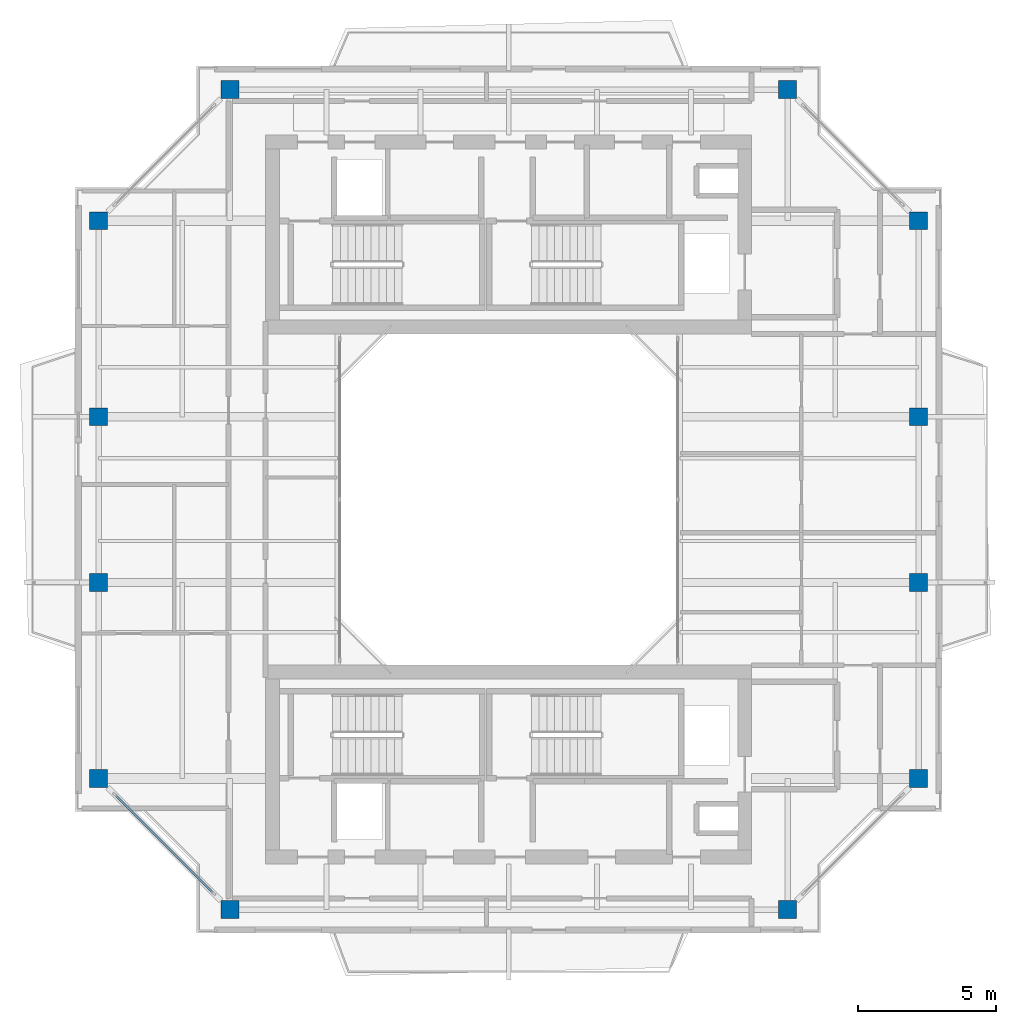
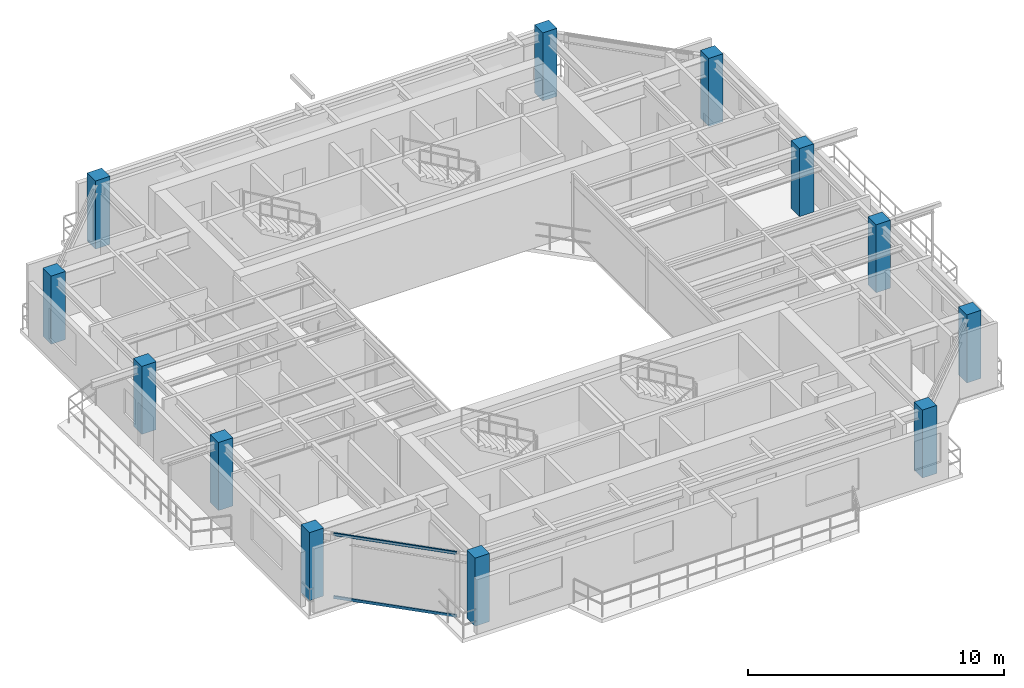
# One storey, part 1 of 14: 12 columns, 2 members, 1 element without a shape of its own.
"""IFC4 building model written with IfcOpenShell, lengths in metres."""

from ifc_helpers import new_model, si_unit, direction, frame, origin, origin_2d, place, context, subcontext, project, spatial, rectangle, extrude, source, transform, mapped, material, layer, layer_set, material_profile, profile_set, type_object, element, aggregate, save


model = new_model("IFC4")

# Units and contexts
model_context = context("Model", 3, precision=1e-05, world=origin(), true_north=direction((0.0, 1.0)))
body_context = subcontext(model_context, "Body", "Model", "MODEL_VIEW")
ifc_project = project(units=[si_unit("LENGTHUNIT", "METRE"), si_unit("AREAUNIT", "SQUARE_METRE"), si_unit("VOLUMEUNIT", "CUBIC_METRE"), si_unit("PLANEANGLEUNIT", "RADIAN"), si_unit("MASSUNIT", "GRAM", prefix="KILO"), si_unit("THERMODYNAMICTEMPERATUREUNIT", "KELVIN"), si_unit("POWERUNIT", "WATT")], contexts=[model_context])

# Site, building, storey
site_placement = place(None, origin())
site = spatial("IfcSite", under=ifc_project, at=site_placement, CompositionType="ELEMENT")
building_placement = place(site_placement, origin())
building = spatial("IfcBuilding", under=site, at=building_placement, Name="Qiaomeng Ring Towers", CompositionType="ELEMENT")
storey_placement = place(building_placement, frame((0.0, 0.0, 247.0)))
storey = spatial("IfcBuildingStorey", under=building, at=storey_placement, Name="L72", CompositionType="ELEMENT", Elevation=247.0)

# Columns
ifc_material_1 = material(Name="Concrete C40", Category="concrete")
ifc_material_profile_1 = material_profile(ifc_material_1, rectangle(XDim=0.64990234375, YDim=0.64990234375, at=origin_2d()), Name="RC COL 650x650")
ifc_profile_set_1 = profile_set([ifc_material_profile_1], Name="Concrete C40")
column_type = type_object("IfcColumnType", Name="STR-COL-650-C40", PredefinedType="COLUMN", material=ifc_profile_set_1)
shared_shape_1 = source(origin(), body_context, "Body", "SweptSolid", [
    extrude(rectangle(XDim=0.64990234375, YDim=0.64990234375, at=origin_2d()), origin(), (0.0, 0.0, 1.0), 3.25),
])
for number, where, z_axis, x_axis, name in (
    (1, (8.89990234375, 8.14990234375, 0.0), (0.0, 0.0, 1.0), (1.0, 0.0, 0.0), "L72 column STR-COL-L72-T1-S1"),
    (2, (29.10009765625, 8.14990234375, 0.0), (0.0, 0.0, 1.0), (1.0, 0.0, 0.0), "L72 column STR-COL-L72-T1-S2"),
    (3, (33.85009765625, 12.89990234375, 0.0), (0.0, 0.0, 1.0), (1.0, 0.0, 0.0), "L72 column STR-COL-L72-T1-E1"),
    (4, (33.85009765625, 20.0, 0.0), (0.0, 0.0, 1.0), (1.0, 0.0, 0.0), "L72 column STR-COL-L72-T1-E2"),
    (5, (33.85009765625, 26.0, 0.0), (0.0, 0.0, 1.0), (1.0, 0.0, 0.0), "L72 column STR-COL-L72-T1-E3"),
    (6, (33.85009765625, 33.10009765625, 0.0), (0.0, 0.0, 1.0), (1.0, 0.0, 0.0), "L72 column STR-COL-L72-T1-E4"),
    (7, (29.10009765625, 37.85009765625, 0.0), (0.0, 0.0, 1.0), (1.0, 0.0, 0.0), "L72 column STR-COL-L72-T1-N2"),
    (8, (8.89990234375, 37.85009765625, 0.0), (0.0, 0.0, 1.0), (1.0, 0.0, 0.0), "L72 column STR-COL-L72-T1-N1"),
    (9, (4.14990234375, 33.10009765625, 0.0), (0.0, 0.0, 1.0), (1.0, 0.0, 0.0), "L72 column STR-COL-L72-T1-W4"),
    (10, (4.14990234375, 26.0, 0.0), (0.0, 0.0, 1.0), (1.0, 0.0, 0.0), "L72 column STR-COL-L72-T1-W3"),
    (11, (4.14990234375, 20.0, 0.0), (0.0, 0.0, 1.0), (1.0, 0.0, 0.0), "L72 column STR-COL-L72-T1-W2"),
    (12, (4.14990234375, 12.89990234375, 0.0), (0.0, 0.0, 1.0), (1.0, 0.0, 0.0), "L72 column STR-COL-L72-T1-W1"),
):
    element("IfcColumn", number, at=place(storey_placement, frame(where, z_axis=z_axis, x_axis=x_axis)), inside=storey, type_object=column_type, Name=name, PredefinedType="COLUMN", context=body_context, shape_type="MappedRepresentation", body=[
        mapped(shared_shape_1, transform((0.0, 0.0, 0.0), x_axis=(1.0, 0.0, 0.0), y_axis=(0.0, 1.0, 0.0), z_axis=(0.0, 0.0, 1.0), scale=1.0)),
    ])

# Curtain wall, members
ifc_material_2 = material(Name="Fluorocarbon dark-grey aluminium", Category="aluminium")
ifc_layer = layer(ifc_material_2, 0.14990234375, Name="Fluorocarbon dark-grey aluminium")
ifc_layer_set = layer_set([ifc_layer], Name="Fluorocarbon dark-grey aluminium")
curtain_wall_type = type_object("IfcCurtainWallType", Name="ARC-CW-3", PredefinedType="NOTDEFINED", material=ifc_layer_set)
curtain_wall_placement = place(storey_placement, origin())
curtain_wall = element("IfcCurtainWall", 13, at=curtain_wall_placement, inside=storey, type_object=curtain_wall_type, Name="L72 Curtain Wall CW3", PredefinedType="NOTDEFINED")
ifc_material_profile_2 = material_profile(ifc_material_2, rectangle(XDim=0.06494140625, YDim=0.1298828125, at=origin_2d()), Name="ALU TRAN 65x130")
ifc_profile_set_2 = profile_set([ifc_material_profile_2], Name="Fluorocarbon dark-grey aluminium")
member_type = type_object("IfcMemberType", Name="ARC-CWT-120", PredefinedType="USERDEFINED", material=ifc_profile_set_2)
shared_shape_2 = source(origin(), body_context, "Body", "SweptSolid", [
    extrude(rectangle(XDim=0.06494140625, YDim=0.1298828125, at=origin_2d()), origin(), (0.0, 0.0, 1.0), 4.9794921875),
])
member_1_placement = place(storey_placement, frame((4.764404296875, 12.285400390625, 0.032470703125), z_axis=(0.707106781187, -0.707106781187, 0.0), x_axis=(0.707106781187, 0.707106781187, 0.0)))
member_1 = element("IfcMember", 14, at=member_1_placement, type_object=member_type, Name="CW3 transom 1.1", ObjectType="TRANSOM", PredefinedType="USERDEFINED", context=body_context, shape_type="MappedRepresentation", body=[
    mapped(shared_shape_2, transform((0.0, 0.0, 0.0), x_axis=(1.0, 0.0, 0.0), y_axis=(0.0, 1.0, 0.0), z_axis=(0.0, 0.0, 1.0), scale=1.0)),
])
member_2_placement = place(storey_placement, frame((4.764404296875, 12.285400390625, 3.03759765625), z_axis=(0.707106781187, -0.707106781187, 0.0), x_axis=(0.707106781187, 0.707106781187, 0.0)))
member_2 = element("IfcMember", 15, at=member_2_placement, type_object=member_type, Name="CW3 transom 1.2", ObjectType="TRANSOM", PredefinedType="USERDEFINED", context=body_context, shape_type="MappedRepresentation", body=[
    mapped(shared_shape_2, transform((0.0, 0.0, 0.0), x_axis=(1.0, 0.0, 0.0), y_axis=(0.0, 1.0, 0.0), z_axis=(0.0, 0.0, 1.0), scale=1.0)),
])
aggregate(curtain_wall, [member_1, member_2])

save(model, "model.ifc")
